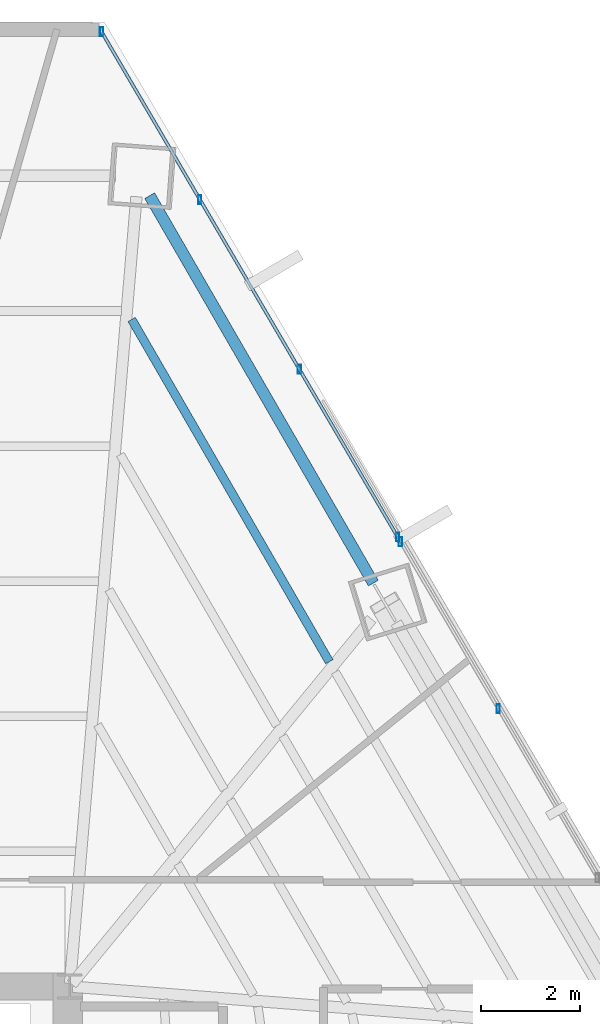
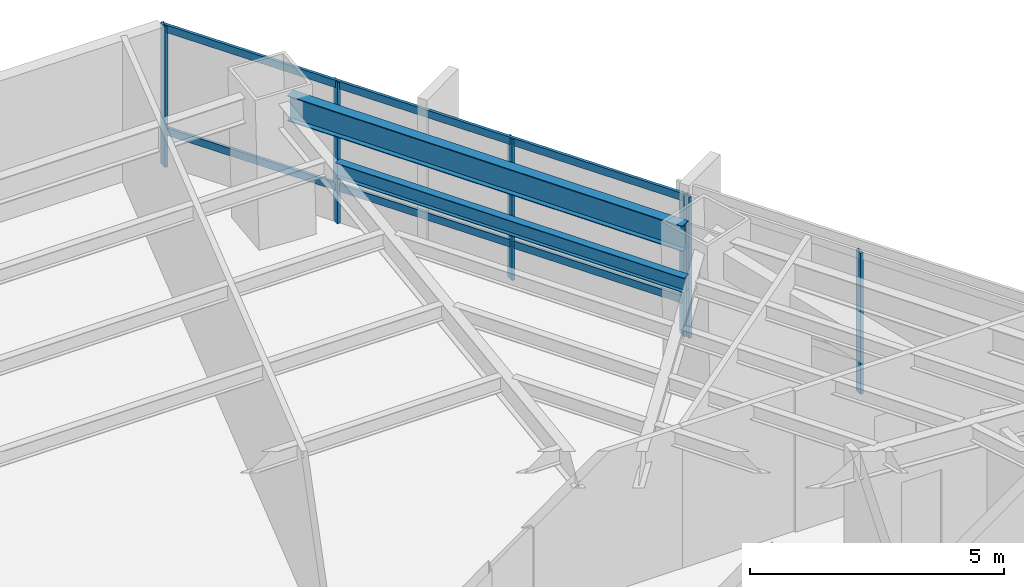
# One storey, part 26 of 33: 8 members, 2 beams, 2 elements without a shape of their own.
"""IFC4 building model written with IfcOpenShell, lengths in metres."""

from ifc_helpers import new_model, si_unit, direction, frame, origin, origin_2d, place, context, subcontext, project, spatial, hollow_rectangle, i_section, extrude, source, transform, mapped, material, material_profile, profile_set, type_object, type_shapes, element, aggregate, save


model = new_model("IFC4")

# Units and contexts
model_context = context("Model", 3, precision=1e-05, world=origin(), true_north=direction((0.0, 1.0)))
body_context = subcontext(model_context, "Body", "Model", "MODEL_VIEW")
ifc_project = project(units=[si_unit("LENGTHUNIT", "METRE"), si_unit("AREAUNIT", "SQUARE_METRE"), si_unit("VOLUMEUNIT", "CUBIC_METRE"), si_unit("PLANEANGLEUNIT", "RADIAN"), si_unit("MASSUNIT", "GRAM", prefix="KILO")], contexts=[model_context])

# Site, building, storey
site_placement = place(None, origin())
site = spatial("IfcSite", under=ifc_project, at=site_placement, CompositionType="ELEMENT")
building_placement = place(site_placement, origin())
building = spatial("IfcBuilding", under=site, at=building_placement, Name="Caelisora Broadcast Tower", CompositionType="ELEMENT")
storey_placement = place(building_placement, frame((0.0, 0.0, 42.199951171875)))
storey = spatial("IfcBuildingStorey", under=building, at=storey_placement, Name="L10", CompositionType="ELEMENT", Elevation=42.199951171875)

# Beams
ifc_material_1 = material(Name="Steel Grade 350 (AS/NZS 3679.1)", Category="steel")
ifc_material_profile_1 = material_profile(ifc_material_1, i_section(OverallWidth=0.22900390625, OverallDepth=0.611572265625, WebThickness=0.011962890625, FlangeThickness=0.01953125, at=origin_2d()), Name="Steel Grade 350 (AS/NZS 3679.1)")
ifc_profile_set_1 = profile_set([ifc_material_profile_1], Name="Steel Grade 350 (AS/NZS 3679.1)")
beam_type_1 = type_object("IfcBeamType", Name="PG03", PredefinedType="BEAM", material=ifc_profile_set_1)
shared_shape_1 = source(origin(), body_context, "Body", "SweptSolid", [
    extrude(i_section(OverallWidth=0.22900390625, OverallDepth=0.611572265625, WebThickness=0.011962890625, FlangeThickness=0.01953125, at=origin_2d()), origin(), (0.0, 0.0, 1.0), 8.998779296875),
])
type_shapes(beam_type_1, [shared_shape_1])
beam_1_placement = place(storey_placement, frame((51.60498046875, 38.112548828125, 3.09423828125), z_axis=(-0.499987833089, 0.86603242824, 0.0), x_axis=(-0.86603242824, -0.499987833089, 0.0)))
element("IfcBeam", 1, at=beam_1_placement, inside=storey, type_object=beam_type_1, Name="L10 beam PG03", PredefinedType="BEAM", context=body_context, shape_type="MappedRepresentation", body=[
    mapped(shared_shape_1, transform((0.0, 0.0, 0.0), scale=1.0)),
])
ifc_material_profile_2 = material_profile(ifc_material_1, i_section(OverallWidth=0.172119140625, OverallDepth=0.358642578125, WebThickness=0.008056640625, FlangeThickness=0.012939453125, at=origin_2d()), Name="Steel Grade 350 (AS/NZS 3679.1)")
ifc_profile_set_2 = profile_set([ifc_material_profile_2], Name="Steel Grade 350 (AS/NZS 3679.1)")
beam_type_2 = type_object("IfcBeamType", Name="SB02", PredefinedType="JOIST", material=ifc_profile_set_2)
shared_shape_2 = source(origin(), body_context, "Body", "SweptSolid", [
    extrude(i_section(OverallWidth=0.172119140625, OverallDepth=0.358642578125, WebThickness=0.008056640625, FlangeThickness=0.012939453125, at=origin_2d()), origin(), (0.0, 0.0, 1.0), 7.9501953125),
])
type_shapes(beam_type_2, [shared_shape_2])
beam_2_placement = place(storey_placement, frame((50.7197265625, 36.531494140625, 3.220703125), z_axis=(-0.500003340945, 0.86602347488, 0.0), x_axis=(-0.86602347488, -0.500003340945, 0.0)))
element("IfcBeam", 2, at=beam_2_placement, inside=storey, type_object=beam_type_2, Name="L10 beam SB02", PredefinedType="JOIST", context=body_context, shape_type="MappedRepresentation", body=[
    mapped(shared_shape_2, transform((0.0, 0.0, 0.0), scale=1.0)),
])

# Curtain wall, members
ifc_material_2 = material(Name="Unitised Aluminium and Low-E Glass Curtain Wall", Category="glass")
curtain_wall_type_1 = type_object("IfcCurtainWallType", Name="CW-Z1", PredefinedType="NOTDEFINED", material=ifc_material_2)
curtain_wall_1_placement = place(storey_placement, origin())
curtain_wall_1 = element("IfcCurtainWall", 3, at=curtain_wall_1_placement, inside=storey, type_object=curtain_wall_type_1, Name="L10 curtain wall CW-Z1", PredefinedType="NOTDEFINED")
ifc_material_3 = material(Name="Aluminium 6063-T6 Anodised Terracotta Bronze", Category="aluminium")
ifc_material_profile_3 = material_profile(ifc_material_3, hollow_rectangle(XDim=0.06494140625, YDim=0.179931640625, WallThickness=0.00341796875, at=origin_2d()), Name="Aluminium 6063-T6 Anodised Terracotta Bronze")
ifc_profile_set_3 = profile_set([ifc_material_profile_3], Name="Aluminium 6063-T6 Anodised Terracotta Bronze")
member_type_1 = type_object("IfcMemberType", Name="CWM-02", PredefinedType="MULLION", material=ifc_profile_set_3)
shared_shape_3 = source(origin(), body_context, "Body", "SweptSolid", [
    extrude(hollow_rectangle(XDim=0.06494140625, YDim=0.179931640625, WallThickness=0.00341796875, at=origin_2d()), origin(), (0.0, 0.0, 1.0), 3.400146484375),
])
type_shapes(member_type_1, [shared_shape_3])
member_1_placement = place(storey_placement, frame((46.139404296875, 49.199951171875, 0.0), z_axis=(0.0, 0.0, 1.0), x_axis=(1.0, 0.0, 0.0)))
member_1 = element("IfcMember", 4, at=member_1_placement, type_object=member_type_1, Name="L10-CW-B01 mullion #0", PredefinedType="MULLION", context=body_context, shape_type="MappedRepresentation", body=[
    mapped(shared_shape_3, transform((0.0, 0.0, 0.0), scale=1.0)),
])
member_2_placement = place(storey_placement, frame((48.115966796875, 45.827880859375, 0.0), z_axis=(0.0, 0.0, 1.0), x_axis=(1.0, 0.0, 0.0)))
member_2 = element("IfcMember", 5, at=member_2_placement, type_object=member_type_1, Name="L10-CW-B01 mullion #1", PredefinedType="MULLION", context=body_context, shape_type="MappedRepresentation", body=[
    mapped(shared_shape_3, transform((0.0, 0.0, 0.0), scale=1.0)),
])
member_3_placement = place(storey_placement, frame((50.117919921875, 42.41259765625, 0.0), z_axis=(0.0, 0.0, 1.0), x_axis=(1.0, 0.0, 0.0)))
member_3 = element("IfcMember", 6, at=member_3_placement, type_object=member_type_1, Name="L10-CW-B01 mullion #2", PredefinedType="MULLION", context=body_context, shape_type="MappedRepresentation", body=[
    mapped(shared_shape_3, transform((0.0, 0.0, 0.0), scale=1.0)),
])
member_4_placement = place(storey_placement, frame((52.094482421875, 39.040771484375, 0.0), z_axis=(0.0, 0.0, 1.0), x_axis=(1.0, 0.0, 0.0)))
member_4 = element("IfcMember", 7, at=member_4_placement, type_object=member_type_1, Name="L10-CW-B01 mullion #3", PredefinedType="MULLION", context=body_context, shape_type="MappedRepresentation", body=[
    mapped(shared_shape_3, transform((0.0, 0.0, 0.0), scale=1.0)),
])

ifc_material_4 = material(Name="Unitised Aluminium Insulated Shadow-Box Spandrel Curtain Wall", Category="aluminium")
curtain_wall_type_2 = type_object("IfcCurtainWallType", Name="CW-SP1", PredefinedType="NOTDEFINED", material=ifc_material_4)
curtain_wall_2_placement = place(storey_placement, origin())
curtain_wall_2 = element("IfcCurtainWall", 8, at=curtain_wall_2_placement, inside=storey, type_object=curtain_wall_type_2, Name="L10 curtain wall CW-SP1", PredefinedType="NOTDEFINED")
member_5_placement = place(storey_placement, frame((52.14990234375, 38.94580078125, 0.0), z_axis=(0.0, 0.0, 1.0), x_axis=(1.0, 0.0, 0.0)))
member_5 = element("IfcMember", 9, at=member_5_placement, type_object=member_type_1, Name="L10-CW-B02 mullion #0", PredefinedType="MULLION", context=body_context, shape_type="MappedRepresentation", body=[
    mapped(shared_shape_3, transform((0.0, 0.0, 0.0), scale=1.0)),
])
member_6_placement = place(storey_placement, frame((54.1181640625, 35.588134765625, 0.0), z_axis=(0.0, 0.0, 1.0), x_axis=(1.0, 0.0, 0.0)))
member_6 = element("IfcMember", 10, at=member_6_placement, type_object=member_type_1, Name="L10-CW-B02 mullion #1", PredefinedType="MULLION", context=body_context, shape_type="MappedRepresentation", body=[
    mapped(shared_shape_3, transform((0.0, 0.0, 0.0), scale=1.0)),
])
aggregate(curtain_wall_2, [member_5, member_6])

# Member
ifc_material_profile_4 = material_profile(ifc_material_3, hollow_rectangle(XDim=0.06494140625, YDim=0.179931640625, WallThickness=0.00341796875, at=origin_2d()), Name="Aluminium 6063-T6 Anodised Terracotta Bronze")
ifc_profile_set_4 = profile_set([ifc_material_profile_4], Name="Aluminium 6063-T6 Anodised Terracotta Bronze")
member_type_2 = type_object("IfcMemberType", Name="CWT-01", PredefinedType="USERDEFINED", material=ifc_profile_set_4)
shared_shape_4 = source(origin(), body_context, "Body", "SweptSolid", [
    extrude(hollow_rectangle(XDim=0.06494140625, YDim=0.179931640625, WallThickness=0.00341796875, at=origin_2d()), origin(), (0.0, 0.0, 1.0), 11.77587890625),
])
type_shapes(member_type_2, [shared_shape_4])
member_7_placement = place(storey_placement, frame((46.139404296875, 49.199951171875, 0.85009765625), z_axis=(0.505700345217, -0.862709198309, 0.0), x_axis=(0.862709198309, 0.505700345217, 0.0)))
member_7 = element("IfcMember", 11, at=member_7_placement, type_object=member_type_2, Name="L10-CW-B01 transom #1", ObjectType="TRANSOM", PredefinedType="USERDEFINED", context=body_context, shape_type="MappedRepresentation", body=[
    mapped(shared_shape_4, transform((0.0, 0.0, 0.0), scale=1.0)),
])

member_8_placement = place(storey_placement, frame((46.139404296875, 49.199951171875, 3.320068359375), z_axis=(0.505700345217, -0.862709198309, 0.0), x_axis=(0.862709198309, 0.505700345217, 0.0)))
member_8 = element("IfcMember", 12, at=member_8_placement, type_object=member_type_2, Name="L10-CW-B01 transom #2", ObjectType="TRANSOM", PredefinedType="USERDEFINED", context=body_context, shape_type="MappedRepresentation", body=[
    mapped(shared_shape_4, transform((0.0, 0.0, 0.0), scale=1.0)),
])

aggregate(curtain_wall_1, [member_1, member_2, member_3, member_4, member_7, member_8])

save(model, "model.ifc")
